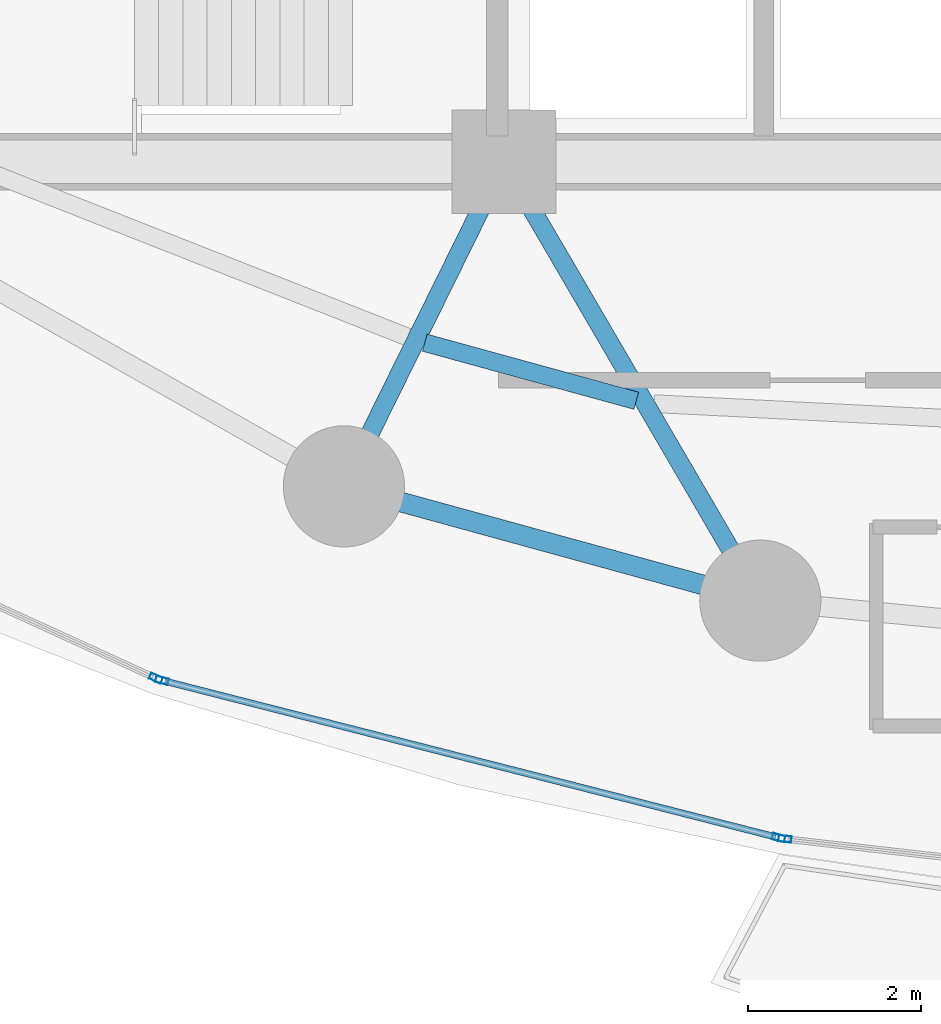
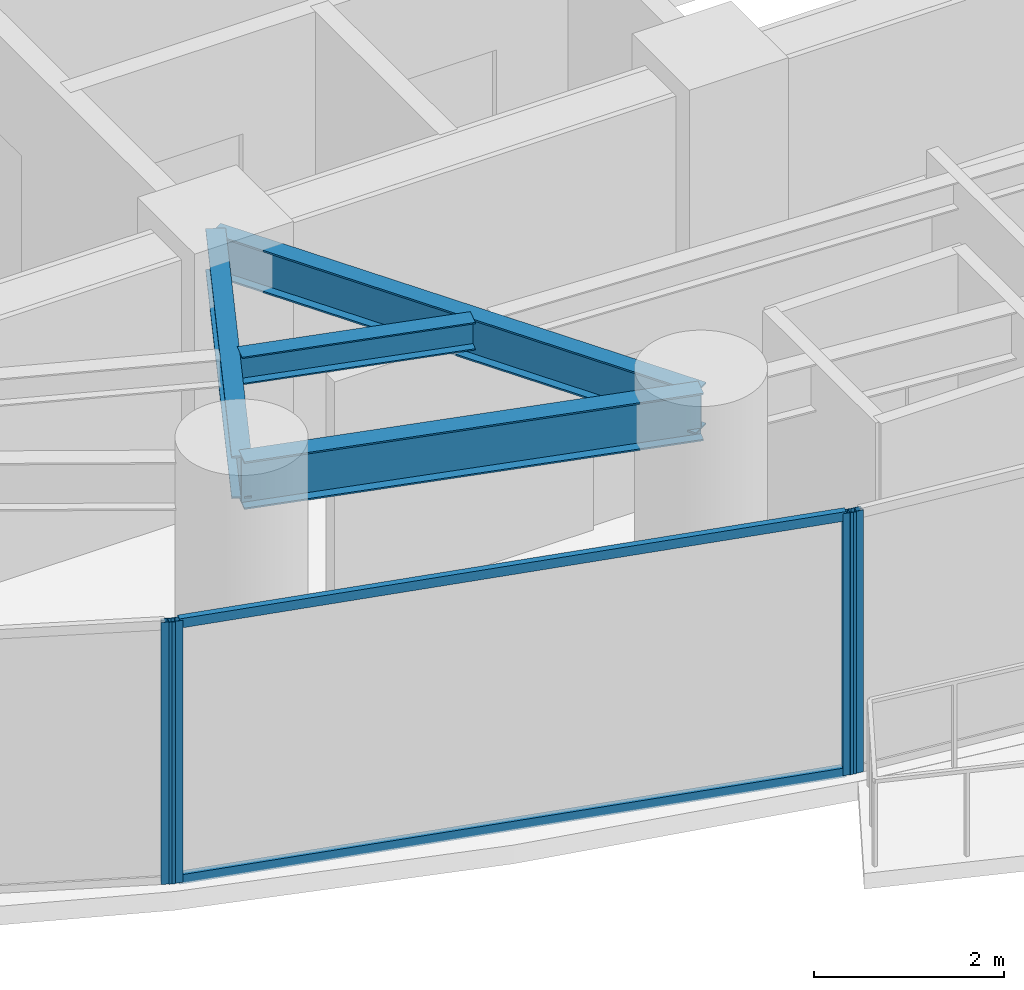
# One storey, part 5 of 32: 6 members, 4 beams, 3 elements without a shape of their own.
"""IFC4 building model written with IfcOpenShell, lengths in metres."""

from ifc_helpers import new_model, si_unit, direction, frame, origin, origin_2d, place, context, subcontext, project, spatial, hollow_rectangle, i_section, extrude, material, layer, layer_set, material_profile, profile_set, type_object, element, aggregate, save


model = new_model("IFC4")

# Units and contexts
model_context = context("Model", 3, precision=1e-05, world=origin(), true_north=direction((0.0, 1.0)))
body_context = subcontext(model_context, "Body", "Model", "MODEL_VIEW")
ifc_project = project(units=[si_unit("LENGTHUNIT", "METRE"), si_unit("AREAUNIT", "SQUARE_METRE"), si_unit("VOLUMEUNIT", "CUBIC_METRE"), si_unit("PLANEANGLEUNIT", "RADIAN"), si_unit("MASSUNIT", "GRAM", prefix="KILO")], contexts=[model_context])

# Site, building, storey
site_placement = place(None, origin())
site = spatial("IfcSite", under=ifc_project, at=site_placement, CompositionType="ELEMENT")
building_placement = place(site_placement, origin())
building = spatial("IfcBuilding", under=site, at=building_placement, Name="Kazevale Care Tower and Concert Hall", CompositionType="ELEMENT")
storey_placement = place(building_placement, frame((0.0, 0.0, 42.0)))
storey = spatial("IfcBuildingStorey", under=building, at=storey_placement, Name="L10", CompositionType="ELEMENT", Elevation=42.0)

# Curtain wall, member
ifc_material_1 = material(Name="Aluminium 6063-T6 and Low-E Glass", Category="aluminium")
ifc_layer = layer(ifc_material_1, 0.179931640625)
ifc_layer_set = layer_set([ifc_layer], Name="Aluminium 6063-T6 and Low-E Glass")
curtain_wall_type = type_object("IfcCurtainWallType", Name="Sheltered Concave Balcony Curtain Wall CW-5", PredefinedType="NOTDEFINED", material=ifc_layer_set)
curtain_wall_1_placement = place(storey_placement, origin())
curtain_wall_1 = element("IfcCurtainWall", 1, at=curtain_wall_1_placement, inside=storey, type_object=curtain_wall_type, Name="cw:L10:f07", PredefinedType="NOTDEFINED")
ifc_material_2 = material(Name="Aluminium 6063-T6", Category="aluminium")
ifc_material_profile_1 = material_profile(ifc_material_2, hollow_rectangle(XDim=0.074951171875, YDim=0.14990234375, WallThickness=0.00390625, at=origin_2d()), Name="ALU75x150x4")
ifc_profile_set_1 = profile_set([ifc_material_profile_1], Name="Aluminium 6063-T6")
member_type_1 = type_object("IfcMemberType", Name="CW-5 Mullion ALU75x150x4", PredefinedType="MULLION", material=ifc_profile_set_1)
member_1_placement = place(storey_placement, frame((33.245361328125, 15.77783203125, 0.0), z_axis=(0.0, 0.0, 1.0), x_axis=(-0.113704773808, -0.993514581883, 0.0)))
member_1 = element("IfcMember", 2, at=member_1_placement, type_object=member_type_1, Name="CW-5 mullion 2", PredefinedType="MULLION", context=body_context, shape_type="SweptSolid", body=[
    extrude(hollow_rectangle(XDim=0.074951171875, YDim=0.14990234375, WallThickness=0.00390625, at=origin_2d()), origin(), (0.0, 0.0, 1.0), 3.360107421875),
])
aggregate(curtain_wall_1, [member_1])

# Curtain wall, members
curtain_wall_2_placement = place(storey_placement, origin())
curtain_wall_2 = element("IfcCurtainWall", 3, at=curtain_wall_2_placement, inside=storey, type_object=curtain_wall_type, Name="cw:L10:f08", PredefinedType="NOTDEFINED")
member_2_placement = place(storey_placement, frame((33.171630859375, 15.791259765625, 0.0), z_axis=(0.0, 0.0, 1.0), x_axis=(-0.247221864936, -0.968958899798, 0.0)))
member_2 = element("IfcMember", 4, at=member_2_placement, type_object=member_type_1, Name="CW-5 mullion 1", PredefinedType="MULLION", context=body_context, shape_type="SweptSolid", body=[
    extrude(hollow_rectangle(XDim=0.074951171875, YDim=0.14990234375, WallThickness=0.00390625, at=origin_2d()), origin(), (0.0, 0.0, 1.0), 3.360107421875),
])
member_3_placement = place(storey_placement, frame((26.04833984375, 17.608642578125, 0.0), z_axis=(0.0, 0.0, 1.0), x_axis=(-0.247221864936, -0.968958899798, 0.0)))
member_3 = element("IfcMember", 5, at=member_3_placement, type_object=member_type_1, Name="CW-5 mullion 2", PredefinedType="MULLION", context=body_context, shape_type="SweptSolid", body=[
    extrude(hollow_rectangle(XDim=0.074951171875, YDim=0.14990234375, WallThickness=0.00390625, at=origin_2d()), origin(), (0.0, 0.0, 1.0), 3.360107421875),
])

# Curtain wall, member
curtain_wall_3_placement = place(storey_placement, origin())
curtain_wall_3 = element("IfcCurtainWall", 6, at=curtain_wall_3_placement, inside=storey, type_object=curtain_wall_type, Name="cw:L10:f09", PredefinedType="NOTDEFINED")
member_4_placement = place(storey_placement, frame((25.977783203125, 17.633544921875, 0.0), z_axis=(0.0, 0.0, 1.0), x_axis=(-0.415659767773, -0.909520179795, 0.0)))
member_4 = element("IfcMember", 7, at=member_4_placement, type_object=member_type_1, Name="CW-5 mullion 1", PredefinedType="MULLION", context=body_context, shape_type="SweptSolid", body=[
    extrude(hollow_rectangle(XDim=0.074951171875, YDim=0.14990234375, WallThickness=0.00390625, at=origin_2d()), origin(), (0.0, 0.0, 1.0), 3.360107421875),
])
aggregate(curtain_wall_3, [member_4])

# Member
ifc_material_profile_2 = material_profile(ifc_material_2, hollow_rectangle(XDim=0.074951171875, YDim=0.1201171875, WallThickness=0.00390625, at=origin_2d()), Name="ALU75x120x4")
ifc_profile_set_2 = profile_set([ifc_material_profile_2], Name="Aluminium 6063-T6")
member_type_2 = type_object("IfcMemberType", Name="CW-5 Transom ALU75x120x4", PredefinedType="USERDEFINED", material=ifc_profile_set_2)
member_5_placement = place(storey_placement, frame((33.13525390625, 15.800537109375, 0.03759765625), z_axis=(-0.968960816419, 0.24721435283, 0.0), x_axis=(-0.24721435283, -0.968960816419, 0.0)))
member_5 = element("IfcMember", 8, at=member_5_placement, type_object=member_type_2, Name="CW-5 transom 1.1", ObjectType="TRANSOM", PredefinedType="USERDEFINED", context=body_context, shape_type="SweptSolid", body=[
    extrude(hollow_rectangle(XDim=0.074951171875, YDim=0.1201171875, WallThickness=0.00390625, at=origin_2d()), origin(), (0.0, 0.0, 1.0), 7.2763671875),
])

member_6_placement = place(storey_placement, frame((33.13525390625, 15.800537109375, 3.322509765625), z_axis=(-0.968960816419, 0.24721435283, 0.0), x_axis=(-0.24721435283, -0.968960816419, 0.0)))
member_6 = element("IfcMember", 9, at=member_6_placement, type_object=member_type_2, Name="CW-5 transom 1.2", ObjectType="TRANSOM", PredefinedType="USERDEFINED", context=body_context, shape_type="SweptSolid", body=[
    extrude(hollow_rectangle(XDim=0.074951171875, YDim=0.1201171875, WallThickness=0.00390625, at=origin_2d()), origin(), (0.0, 0.0, 1.0), 7.2763671875),
])

aggregate(curtain_wall_2, [member_2, member_3, member_5, member_6])

# Beams
ifc_material_3 = material(Name="Steel ASTM A572 Gr 50", Category="steel")
ifc_material_profile_3 = material_profile(ifc_material_3, i_section(OverallWidth=0.2119140625, OverallDepth=0.5439453125, WebThickness=0.01318359375, FlangeThickness=0.021240234375, at=origin_2d()), Name="W530x123")
ifc_profile_set_3 = profile_set([ifc_material_profile_3], Name="Steel ASTM A572 Gr 50")
beam_type_1 = type_object("IfcBeamType", Name="Radial Floor Girder W530x123", PredefinedType="BEAM", material=ifc_profile_set_3)
beam_1_placement = place(storey_placement, frame((30.0, 23.60009765625, 3.087890625), z_axis=(-0.442443019162, -0.896796618412, 0.0), x_axis=(0.896796618412, -0.442443019162, 0.0)))
element("IfcBeam", 10, at=beam_1_placement, inside=storey, type_object=beam_type_1, Name="beam:L10:rad:11", PredefinedType="BEAM", context=body_context, shape_type="SweptSolid", body=[
    extrude(i_section(OverallWidth=0.2119140625, OverallDepth=0.5439453125, WebThickness=0.01318359375, FlangeThickness=0.021240234375, at=origin_2d()), origin(), (0.0, 0.0, 1.0), 4.181640625),
])
beam_2_placement = place(storey_placement, frame((30.0, 23.60009765625, 3.087890625), z_axis=(0.50417868077, -0.86359936189, 0.0), x_axis=(0.86359936189, 0.50417868077, 0.0)))
element("IfcBeam", 11, at=beam_2_placement, inside=storey, type_object=beam_type_1, Name="beam:L10:rad:12", PredefinedType="BEAM", context=body_context, shape_type="SweptSolid", body=[
    extrude(i_section(OverallWidth=0.2119140625, OverallDepth=0.5439453125, WebThickness=0.01318359375, FlangeThickness=0.021240234375, at=origin_2d()), origin(), (0.0, 0.0, 1.0), 5.870849609375),
])
ifc_material_profile_4 = material_profile(ifc_material_3, i_section(OverallWidth=0.22900390625, OverallDepth=0.612060546875, WebThickness=0.011962890625, FlangeThickness=0.01953125, at=origin_2d()), Name="W610x125")
ifc_profile_set_4 = profile_set([ifc_material_profile_4], Name="Steel ASTM A572 Gr 50")
beam_type_2 = type_object("IfcBeamType", Name="Ring Spandrel Beam W610x125", PredefinedType="SPANDREL", material=ifc_profile_set_4)
beam_3_placement = place(storey_placement, frame((28.14990234375, 19.85009765625, 3.053955078125), z_axis=(0.964343540473, -0.264653615031, 0.0), x_axis=(0.264653615031, 0.964343540473, 0.0)))
element("IfcBeam", 12, at=beam_3_placement, inside=storey, type_object=beam_type_2, Name="beam:L10:ring:11", PredefinedType="SPANDREL", context=body_context, shape_type="SweptSolid", body=[
    extrude(i_section(OverallWidth=0.22900390625, OverallDepth=0.612060546875, WebThickness=0.011962890625, FlangeThickness=0.01953125, at=origin_2d()), origin(), (0.0, 0.0, 1.0), 4.98779296875),
])
ifc_material_profile_5 = material_profile(ifc_material_3, i_section(OverallWidth=0.205078125, OverallDepth=0.35400390625, WebThickness=0.009521484375, FlangeThickness=0.016845703125, at=origin_2d()), Name="W360x79")
ifc_profile_set_5 = profile_set([ifc_material_profile_5], Name="Steel ASTM A572 Gr 50")
beam_type_3 = type_object("IfcBeamType", Name="Secondary Floor Joist W360x79", PredefinedType="JOIST", material=ifc_profile_set_5)
beam_4_placement = place(storey_placement, frame((29.083984375, 21.510009765625, 3.18310546875), z_axis=(0.964302027389, -0.264804833743, 0.0), x_axis=(0.264804833743, 0.964302027389, 0.0)))
element("IfcBeam", 13, at=beam_4_placement, inside=storey, type_object=beam_type_3, Name="beam:L10:joist:11", PredefinedType="JOIST", context=body_context, shape_type="SweptSolid", body=[
    extrude(i_section(OverallWidth=0.205078125, OverallDepth=0.35400390625, WebThickness=0.009521484375, FlangeThickness=0.016845703125, at=origin_2d()), origin(), (0.0, 0.0, 1.0), 2.533447265625),
])

save(model, "model.ifc")
